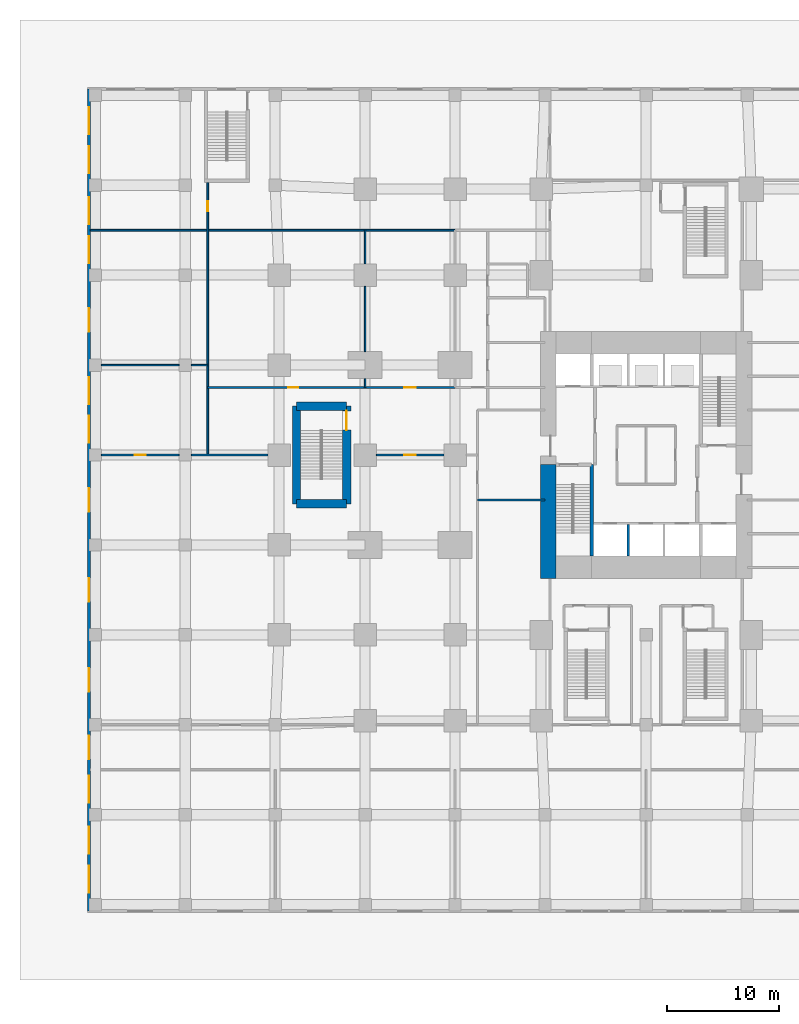
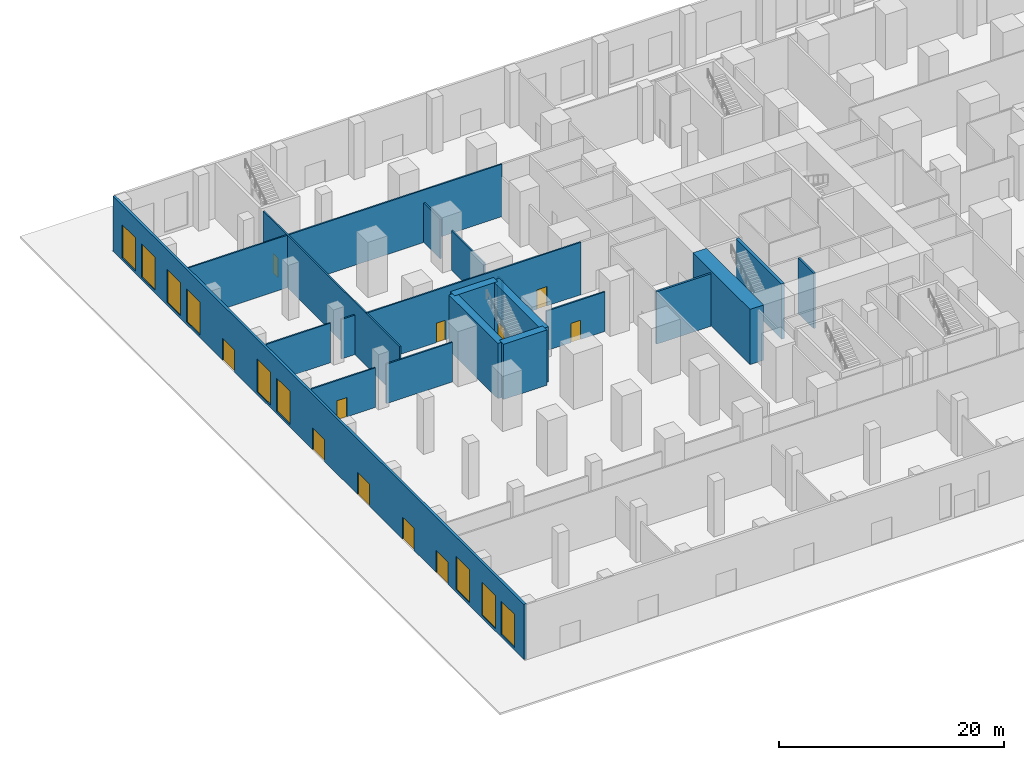
# One storey, part 6 of 16: 20 walls, 11 doors, 9 windows, 20 openings.
"""IFC4 building model written with IfcOpenShell, lengths in metres."""

from ifc_helpers import new_model, si_unit, direction, frame, frame_2d, origin, place, context, subcontext, project, spatial, rectangle, extrude, material, layer, layer_set, type_object, element, fill, save


model = new_model("IFC4")

# Units and contexts
model_context = context("Model", 3, precision=1e-05, world=origin(), true_north=direction((0.0, 1.0)))
body_context = subcontext(model_context, "Body", "Model", "MODEL_VIEW")
ifc_project = project(units=[si_unit("LENGTHUNIT", "METRE"), si_unit("AREAUNIT", "SQUARE_METRE"), si_unit("VOLUMEUNIT", "CUBIC_METRE"), si_unit("PLANEANGLEUNIT", "RADIAN"), si_unit("MASSUNIT", "GRAM", prefix="KILO")], contexts=[model_context])

# Site, building, storey
site_placement = place(None, origin())
site = spatial("IfcSite", under=ifc_project, at=site_placement, CompositionType="ELEMENT")
building_placement = place(site_placement, origin())
building = spatial("IfcBuilding", under=site, at=building_placement, Name="Cleftline Residences", CompositionType="ELEMENT")
storey_placement = place(building_placement, origin())
storey = spatial("IfcBuildingStorey", under=building, at=storey_placement, Name="L00", CompositionType="ELEMENT", Elevation=0.0)

# Walls
ifc_material_1 = material(Name="Concrete B70", Category="concrete")
ifc_layer_1 = layer(ifc_material_1, 1.39990234375)
ifc_layer_set_1 = layer_set([ifc_layer_1], Name="CORE WALL 1400")
wall_type_1 = type_object("IfcWallType", Name="CORE WALL 1400", PredefinedType="SHEAR", material=ifc_layer_set_1)
wall_1_placement = place(storey_placement, frame((24.300048828125, 13.0, 0.0), z_axis=(0.0, 0.0, 1.0), x_axis=(0.0, 1.0, 0.0)))
element("IfcWall", 1, at=wall_1_placement, inside=storey, type_object=wall_type_1, Name="Core wall W0", PredefinedType="SHEAR", context=body_context, shape_type="SweptSolid", body=[
    extrude(rectangle(XDim=10.14990234375, YDim=1.39990234375, at=frame_2d((5.074951171875, 0.0))), origin(), (0.0, 0.0, 1.0), 6.0),
])
ifc_material_2 = material(Name="Concrete B70", Category="concrete")
ifc_layer_2 = layer(ifc_material_2, 0.300048828125)
ifc_layer_set_2 = layer_set([ifc_layer_2], Name="CORE WALL 300")
wall_type_2 = type_object("IfcWallType", Name="CORE WALL 300", PredefinedType="SHEAR", material=ifc_layer_set_2)
wall_2_placement = place(storey_placement, frame((28.14990234375, 15.0, 0.0), z_axis=(0.0, 0.0, 1.0), x_axis=(0.0, 1.0, 0.0)))
element("IfcWall", 2, at=wall_2_placement, inside=storey, type_object=wall_type_2, Name="Core wall SA-E", PredefinedType="SHEAR", context=body_context, shape_type="SweptSolid", body=[
    extrude(rectangle(XDim=8.14990234375, YDim=0.300048828125, at=frame_2d((4.074951171875, 0.0))), origin(), (0.0, 0.0, 1.0), 6.0),
])

# Wall, openings, doors, windows
ifc_material_3 = material(Name="Rendered reinforced concrete blockwork", Category="masonry")
ifc_layer_3 = layer(ifc_material_3, 0.25)
ifc_layer_set_3 = layer_set([ifc_layer_3], Name="EXTERNAL WALL 250")
wall_type_3 = type_object("IfcWallType", Name="EXTERNAL WALL 250", PredefinedType="SOLIDWALL", material=ifc_layer_set_3)
wall_3_placement = place(storey_placement, frame((-16.574951171875, 56.574951171875, 0.0), z_axis=(0.0, 0.0, 1.0), x_axis=(0.0, -1.0, 0.0)))
wall_3 = element("IfcWall", 3, at=wall_3_placement, inside=storey, type_object=wall_type_3, Name="External wall", PredefinedType="SOLIDWALL", context=body_context, shape_type="SweptSolid", body=[
    extrude(rectangle(XDim=73.14990234375, YDim=0.25, at=frame_2d((36.574951171875, 0.0))), origin(), (0.0, 0.0, 1.0), 6.0),
])
opening_1_placement = place(wall_3_placement, frame((1.64990234375, 0.0, 0.300048828125)))
opening_1 = element("IfcOpeningElement", 4, at=opening_1_placement, cuts=wall_3, Name="Opening W1", PredefinedType="OPENING", context=body_context, shape_type="SweptSolid", body=[
    extrude(rectangle(XDim=2.39990234375, YDim=3.60009765625, at=frame_2d((1.199951171875, 1.800048828125))), frame((0.0, 0.135009765625, 0.0), z_axis=(0.0, -1.0, 0.0), x_axis=(1.0, 0.0, 0.0)), (0.0, 0.0, 1.0), 0.27001953125),
])
opening_2_placement = place(wall_3_placement, frame((5.10009765625, 0.0, 0.300048828125)))
opening_2 = element("IfcOpeningElement", 5, at=opening_2_placement, cuts=wall_3, Name="Opening W1", PredefinedType="OPENING", context=body_context, shape_type="SweptSolid", body=[
    extrude(rectangle(XDim=2.39990234375, YDim=3.60009765625, at=frame_2d((1.199951171875, 1.800048828125))), frame((0.0, 0.135009765625, 0.0), z_axis=(0.0, -1.0, 0.0), x_axis=(1.0, 0.0, 0.0)), (0.0, 0.0, 1.0), 0.27001953125),
])
opening_3_placement = place(wall_3_placement, frame((9.64990234375, 0.0, 0.300048828125)))
opening_3 = element("IfcOpeningElement", 6, at=opening_3_placement, cuts=wall_3, Name="Opening W1", PredefinedType="OPENING", context=body_context, shape_type="SweptSolid", body=[
    extrude(rectangle(XDim=2.39990234375, YDim=3.60009765625, at=frame_2d((1.199951171875, 1.800048828125))), frame((0.0, 0.135009765625, 0.0), z_axis=(0.0, -1.0, 0.0), x_axis=(1.0, 0.0, 0.0)), (0.0, 0.0, 1.0), 0.27001953125),
])
opening_4_placement = place(wall_3_placement, frame((19.52490234375, 0.0, 0.0)))
opening_4 = element("IfcOpeningElement", 7, at=opening_4_placement, cuts=wall_3, Name="Opening DE1", PredefinedType="OPENING", context=body_context, shape_type="SweptSolid", body=[
    extrude(rectangle(XDim=2.10009765625, YDim=2.39990234375, at=frame_2d((1.050048828125, 1.199951171875))), frame((0.0, 0.135009765625, 0.0), z_axis=(0.0, -1.0, 0.0), x_axis=(1.0, 0.0, 0.0)), (0.0, 0.0, 1.0), 0.27001953125),
])
opening_5_placement = place(wall_3_placement, frame((13.10009765625, 0.0, 0.300048828125)))
opening_5 = element("IfcOpeningElement", 8, at=opening_5_placement, cuts=wall_3, Name="Opening W1", PredefinedType="OPENING", context=body_context, shape_type="SweptSolid", body=[
    extrude(rectangle(XDim=2.39990234375, YDim=3.60009765625, at=frame_2d((1.199951171875, 1.800048828125))), frame((0.0, 0.135009765625, 0.0), z_axis=(0.0, -1.0, 0.0), x_axis=(1.0, 0.0, 0.0)), (0.0, 0.0, 1.0), 0.27001953125),
])
opening_6_placement = place(wall_3_placement, frame((25.64990234375, 0.0, 0.300048828125)))
opening_6 = element("IfcOpeningElement", 9, at=opening_6_placement, cuts=wall_3, Name="Opening W1", PredefinedType="OPENING", context=body_context, shape_type="SweptSolid", body=[
    extrude(rectangle(XDim=2.39990234375, YDim=3.60009765625, at=frame_2d((1.199951171875, 1.800048828125))), frame((0.0, 0.135009765625, 0.0), z_axis=(0.0, -1.0, 0.0), x_axis=(1.0, 0.0, 0.0)), (0.0, 0.0, 1.0), 0.27001953125),
])
opening_7_placement = place(wall_3_placement, frame((29.10009765625, 0.0, 0.300048828125)))
opening_7 = element("IfcOpeningElement", 10, at=opening_7_placement, cuts=wall_3, Name="Opening W1", PredefinedType="OPENING", context=body_context, shape_type="SweptSolid", body=[
    extrude(rectangle(XDim=2.39990234375, YDim=3.60009765625, at=frame_2d((1.199951171875, 1.800048828125))), frame((0.0, 0.135009765625, 0.0), z_axis=(0.0, -1.0, 0.0), x_axis=(1.0, 0.0, 0.0)), (0.0, 0.0, 1.0), 0.27001953125),
])
opening_8_placement = place(wall_3_placement, frame((35.52490234375, 0.0, 0.0)))
opening_8 = element("IfcOpeningElement", 11, at=opening_8_placement, cuts=wall_3, Name="Opening DE1", PredefinedType="OPENING", context=body_context, shape_type="SweptSolid", body=[
    extrude(rectangle(XDim=2.10009765625, YDim=2.39990234375, at=frame_2d((1.050048828125, 1.199951171875))), frame((0.0, 0.135009765625, 0.0), z_axis=(0.0, -1.0, 0.0), x_axis=(1.0, 0.0, 0.0)), (0.0, 0.0, 1.0), 0.27001953125),
])
opening_9_placement = place(wall_3_placement, frame((43.52490234375, 0.0, 0.0)))
opening_9 = element("IfcOpeningElement", 12, at=opening_9_placement, cuts=wall_3, Name="Opening DE1", PredefinedType="OPENING", context=body_context, shape_type="SweptSolid", body=[
    extrude(rectangle(XDim=2.10009765625, YDim=2.39990234375, at=frame_2d((1.050048828125, 1.199951171875))), frame((0.0, 0.135009765625, 0.0), z_axis=(0.0, -1.0, 0.0), x_axis=(1.0, 0.0, 0.0)), (0.0, 0.0, 1.0), 0.27001953125),
])
opening_10_placement = place(wall_3_placement, frame((51.52490234375, 0.0, 0.0)))
opening_10 = element("IfcOpeningElement", 13, at=opening_10_placement, cuts=wall_3, Name="Opening DE1", PredefinedType="OPENING", context=body_context, shape_type="SweptSolid", body=[
    extrude(rectangle(XDim=2.10009765625, YDim=2.39990234375, at=frame_2d((1.050048828125, 1.199951171875))), frame((0.0, 0.135009765625, 0.0), z_axis=(0.0, -1.0, 0.0), x_axis=(1.0, 0.0, 0.0)), (0.0, 0.0, 1.0), 0.27001953125),
])
opening_11_placement = place(wall_3_placement, frame((57.52490234375, 0.0, 0.0)))
opening_11 = element("IfcOpeningElement", 14, at=opening_11_placement, cuts=wall_3, Name="Opening DE1", PredefinedType="OPENING", context=body_context, shape_type="SweptSolid", body=[
    extrude(rectangle(XDim=2.10009765625, YDim=2.39990234375, at=frame_2d((1.050048828125, 1.199951171875))), frame((0.0, 0.135009765625, 0.0), z_axis=(0.0, -1.0, 0.0), x_axis=(1.0, 0.0, 0.0)), (0.0, 0.0, 1.0), 0.27001953125),
])
opening_12_placement = place(wall_3_placement, frame((61.10009765625, 0.0, 0.300048828125)))
opening_12 = element("IfcOpeningElement", 15, at=opening_12_placement, cuts=wall_3, Name="Opening W1", PredefinedType="OPENING", context=body_context, shape_type="SweptSolid", body=[
    extrude(rectangle(XDim=2.39990234375, YDim=3.60009765625, at=frame_2d((1.199951171875, 1.800048828125))), frame((0.0, 0.135009765625, 0.0), z_axis=(0.0, -1.0, 0.0), x_axis=(1.0, 0.0, 0.0)), (0.0, 0.0, 1.0), 0.27001953125),
])
opening_13_placement = place(wall_3_placement, frame((65.64990234375, 0.0, 0.300048828125)))
opening_13 = element("IfcOpeningElement", 16, at=opening_13_placement, cuts=wall_3, Name="Opening W1", PredefinedType="OPENING", context=body_context, shape_type="SweptSolid", body=[
    extrude(rectangle(XDim=2.39990234375, YDim=3.60009765625, at=frame_2d((1.199951171875, 1.800048828125))), frame((0.0, 0.135009765625, 0.0), z_axis=(0.0, -1.0, 0.0), x_axis=(1.0, 0.0, 0.0)), (0.0, 0.0, 1.0), 0.27001953125),
])
opening_14_placement = place(wall_3_placement, frame((69.10009765625, 0.0, 0.300048828125)))
opening_14 = element("IfcOpeningElement", 17, at=opening_14_placement, cuts=wall_3, Name="Opening W1", PredefinedType="OPENING", context=body_context, shape_type="SweptSolid", body=[
    extrude(rectangle(XDim=2.39990234375, YDim=3.60009765625, at=frame_2d((1.199951171875, 1.800048828125))), frame((0.0, 0.135009765625, 0.0), z_axis=(0.0, -1.0, 0.0), x_axis=(1.0, 0.0, 0.0)), (0.0, 0.0, 1.0), 0.27001953125),
])
ifc_material_4 = material(Name="Aluminium and laminated glass", Category="aluminium")
door_type_1 = type_object("IfcDoorType", Name="ENTRANCE DOOR 2100X2400", OperationType="DOUBLE_DOOR_DOUBLE_SWING", PredefinedType="DOOR", material=ifc_material_4)
door_1_placement = place(opening_4_placement, origin())
door_1 = element("IfcDoor", 18, at=door_1_placement, inside=storey, type_object=door_type_1, Name="Entrance door", OperationType="DOUBLE_DOOR_DOUBLE_SWING", OverallHeight=2.39990234375, OverallWidth=2.10009765625, PredefinedType="DOOR", context=body_context, shape_type="SweptSolid", body=[
    extrude(rectangle(XDim=2.10009765625, YDim=2.39990234375, at=frame_2d((1.050048828125, 1.199951171875))), frame((0.0, 0.02490234375, 0.0), z_axis=(0.0, -1.0, 0.0), x_axis=(1.0, 0.0, 0.0)), (0.0, 0.0, 1.0), 0.050048828125),
])
fill(opening_4, door_1)
door_2_placement = place(opening_8_placement, origin())
door_2 = element("IfcDoor", 19, at=door_2_placement, inside=storey, type_object=door_type_1, Name="Entrance door", OperationType="DOUBLE_DOOR_DOUBLE_SWING", OverallHeight=2.39990234375, OverallWidth=2.10009765625, PredefinedType="DOOR", context=body_context, shape_type="SweptSolid", body=[
    extrude(rectangle(XDim=2.10009765625, YDim=2.39990234375, at=frame_2d((1.050048828125, 1.199951171875))), frame((0.0, 0.02490234375, 0.0), z_axis=(0.0, -1.0, 0.0), x_axis=(1.0, 0.0, 0.0)), (0.0, 0.0, 1.0), 0.050048828125),
])
fill(opening_8, door_2)
door_3_placement = place(opening_9_placement, origin())
door_3 = element("IfcDoor", 20, at=door_3_placement, inside=storey, type_object=door_type_1, Name="Entrance door", OperationType="DOUBLE_DOOR_DOUBLE_SWING", OverallHeight=2.39990234375, OverallWidth=2.10009765625, PredefinedType="DOOR", context=body_context, shape_type="SweptSolid", body=[
    extrude(rectangle(XDim=2.10009765625, YDim=2.39990234375, at=frame_2d((1.050048828125, 1.199951171875))), frame((0.0, 0.02490234375, 0.0), z_axis=(0.0, -1.0, 0.0), x_axis=(1.0, 0.0, 0.0)), (0.0, 0.0, 1.0), 0.050048828125),
])
fill(opening_9, door_3)
door_4_placement = place(opening_10_placement, origin())
door_4 = element("IfcDoor", 21, at=door_4_placement, inside=storey, type_object=door_type_1, Name="Entrance door", OperationType="DOUBLE_DOOR_DOUBLE_SWING", OverallHeight=2.39990234375, OverallWidth=2.10009765625, PredefinedType="DOOR", context=body_context, shape_type="SweptSolid", body=[
    extrude(rectangle(XDim=2.10009765625, YDim=2.39990234375, at=frame_2d((1.050048828125, 1.199951171875))), frame((0.0, 0.02490234375, 0.0), z_axis=(0.0, -1.0, 0.0), x_axis=(1.0, 0.0, 0.0)), (0.0, 0.0, 1.0), 0.050048828125),
])
fill(opening_10, door_4)
door_5_placement = place(opening_11_placement, origin())
door_5 = element("IfcDoor", 22, at=door_5_placement, inside=storey, type_object=door_type_1, Name="Entrance door", OperationType="DOUBLE_DOOR_DOUBLE_SWING", OverallHeight=2.39990234375, OverallWidth=2.10009765625, PredefinedType="DOOR", context=body_context, shape_type="SweptSolid", body=[
    extrude(rectangle(XDim=2.10009765625, YDim=2.39990234375, at=frame_2d((1.050048828125, 1.199951171875))), frame((0.0, 0.02490234375, 0.0), z_axis=(0.0, -1.0, 0.0), x_axis=(1.0, 0.0, 0.0)), (0.0, 0.0, 1.0), 0.050048828125),
])
fill(opening_11, door_5)
ifc_material_5 = material(Name="Aluminium frame, clear double glazing", Category="aluminium")
window_type = type_object("IfcWindowType", Name="WINDOW 2400X3600", PartitioningType="DOUBLE_PANEL_VERTICAL", PredefinedType="WINDOW", material=ifc_material_5)
window_1_placement = place(opening_1_placement, origin())
window_1 = element("IfcWindow", 23, at=window_1_placement, inside=storey, type_object=window_type, Name="Window", OverallHeight=3.60009765625, OverallWidth=2.39990234375, PartitioningType="SINGLE_PANEL", PredefinedType="WINDOW", context=body_context, shape_type="SweptSolid", body=[
    extrude(rectangle(XDim=2.39990234375, YDim=3.60009765625, at=frame_2d((1.199951171875, 1.800048828125))), frame((0.0, 0.030029296875, 0.0), z_axis=(0.0, -1.0, 0.0), x_axis=(1.0, 0.0, 0.0)), (0.0, 0.0, 1.0), 0.06005859375),
])
fill(opening_1, window_1)
window_2_placement = place(opening_2_placement, origin())
window_2 = element("IfcWindow", 24, at=window_2_placement, inside=storey, type_object=window_type, Name="Window", OverallHeight=3.60009765625, OverallWidth=2.39990234375, PartitioningType="SINGLE_PANEL", PredefinedType="WINDOW", context=body_context, shape_type="SweptSolid", body=[
    extrude(rectangle(XDim=2.39990234375, YDim=3.60009765625, at=frame_2d((1.199951171875, 1.800048828125))), frame((0.0, 0.030029296875, 0.0), z_axis=(0.0, -1.0, 0.0), x_axis=(1.0, 0.0, 0.0)), (0.0, 0.0, 1.0), 0.06005859375),
])
fill(opening_2, window_2)
window_3_placement = place(opening_3_placement, origin())
window_3 = element("IfcWindow", 25, at=window_3_placement, inside=storey, type_object=window_type, Name="Window", OverallHeight=3.60009765625, OverallWidth=2.39990234375, PartitioningType="SINGLE_PANEL", PredefinedType="WINDOW", context=body_context, shape_type="SweptSolid", body=[
    extrude(rectangle(XDim=2.39990234375, YDim=3.60009765625, at=frame_2d((1.199951171875, 1.800048828125))), frame((0.0, 0.030029296875, 0.0), z_axis=(0.0, -1.0, 0.0), x_axis=(1.0, 0.0, 0.0)), (0.0, 0.0, 1.0), 0.06005859375),
])
fill(opening_3, window_3)
window_4_placement = place(opening_5_placement, origin())
window_4 = element("IfcWindow", 26, at=window_4_placement, inside=storey, type_object=window_type, Name="Window", OverallHeight=3.60009765625, OverallWidth=2.39990234375, PartitioningType="SINGLE_PANEL", PredefinedType="WINDOW", context=body_context, shape_type="SweptSolid", body=[
    extrude(rectangle(XDim=2.39990234375, YDim=3.60009765625, at=frame_2d((1.199951171875, 1.800048828125))), frame((0.0, 0.030029296875, 0.0), z_axis=(0.0, -1.0, 0.0), x_axis=(1.0, 0.0, 0.0)), (0.0, 0.0, 1.0), 0.06005859375),
])
fill(opening_5, window_4)
window_5_placement = place(opening_6_placement, origin())
window_5 = element("IfcWindow", 27, at=window_5_placement, inside=storey, type_object=window_type, Name="Window", OverallHeight=3.60009765625, OverallWidth=2.39990234375, PartitioningType="SINGLE_PANEL", PredefinedType="WINDOW", context=body_context, shape_type="SweptSolid", body=[
    extrude(rectangle(XDim=2.39990234375, YDim=3.60009765625, at=frame_2d((1.199951171875, 1.800048828125))), frame((0.0, 0.030029296875, 0.0), z_axis=(0.0, -1.0, 0.0), x_axis=(1.0, 0.0, 0.0)), (0.0, 0.0, 1.0), 0.06005859375),
])
fill(opening_6, window_5)
window_6_placement = place(opening_7_placement, origin())
window_6 = element("IfcWindow", 28, at=window_6_placement, inside=storey, type_object=window_type, Name="Window", OverallHeight=3.60009765625, OverallWidth=2.39990234375, PartitioningType="SINGLE_PANEL", PredefinedType="WINDOW", context=body_context, shape_type="SweptSolid", body=[
    extrude(rectangle(XDim=2.39990234375, YDim=3.60009765625, at=frame_2d((1.199951171875, 1.800048828125))), frame((0.0, 0.030029296875, 0.0), z_axis=(0.0, -1.0, 0.0), x_axis=(1.0, 0.0, 0.0)), (0.0, 0.0, 1.0), 0.06005859375),
])
fill(opening_7, window_6)
window_7_placement = place(opening_12_placement, origin())
window_7 = element("IfcWindow", 29, at=window_7_placement, inside=storey, type_object=window_type, Name="Window", OverallHeight=3.60009765625, OverallWidth=2.39990234375, PartitioningType="SINGLE_PANEL", PredefinedType="WINDOW", context=body_context, shape_type="SweptSolid", body=[
    extrude(rectangle(XDim=2.39990234375, YDim=3.60009765625, at=frame_2d((1.199951171875, 1.800048828125))), frame((0.0, 0.030029296875, 0.0), z_axis=(0.0, -1.0, 0.0), x_axis=(1.0, 0.0, 0.0)), (0.0, 0.0, 1.0), 0.06005859375),
])
fill(opening_12, window_7)
window_8_placement = place(opening_13_placement, origin())
window_8 = element("IfcWindow", 30, at=window_8_placement, inside=storey, type_object=window_type, Name="Window", OverallHeight=3.60009765625, OverallWidth=2.39990234375, PartitioningType="SINGLE_PANEL", PredefinedType="WINDOW", context=body_context, shape_type="SweptSolid", body=[
    extrude(rectangle(XDim=2.39990234375, YDim=3.60009765625, at=frame_2d((1.199951171875, 1.800048828125))), frame((0.0, 0.030029296875, 0.0), z_axis=(0.0, -1.0, 0.0), x_axis=(1.0, 0.0, 0.0)), (0.0, 0.0, 1.0), 0.06005859375),
])
fill(opening_13, window_8)
window_9_placement = place(opening_14_placement, origin())
window_9 = element("IfcWindow", 31, at=window_9_placement, inside=storey, type_object=window_type, Name="Window", OverallHeight=3.60009765625, OverallWidth=2.39990234375, PartitioningType="SINGLE_PANEL", PredefinedType="WINDOW", context=body_context, shape_type="SweptSolid", body=[
    extrude(rectangle(XDim=2.39990234375, YDim=3.60009765625, at=frame_2d((1.199951171875, 1.800048828125))), frame((0.0, 0.030029296875, 0.0), z_axis=(0.0, -1.0, 0.0), x_axis=(1.0, 0.0, 0.0)), (0.0, 0.0, 1.0), 0.06005859375),
])
fill(opening_14, window_9)

# Wall
ifc_material_6 = material(Name="Concrete blockwork, fire rated", Category="masonry")
ifc_layer_4 = layer(ifc_material_6, 0.199951171875)
ifc_layer_set_4 = layer_set([ifc_layer_4], Name="FIRE WALL 200")
wall_type_4 = type_object("IfcWallType", Name="FIRE WALL 200", PredefinedType="PARTITIONING", material=ifc_layer_set_4)
wall_4_placement = place(storey_placement, frame((18.0, 20.0, 0.0), z_axis=(0.0, 0.0, 1.0), x_axis=(1.0, 0.0, 0.0)))
element("IfcWall", 32, at=wall_4_placement, inside=storey, type_object=wall_type_4, Name="Fire separating wall", PredefinedType="PARTITIONING", context=body_context, shape_type="SweptSolid", body=[
    extrude(rectangle(XDim=6.0, YDim=0.199951171875, at=frame_2d((3.0, 0.0))), origin(), (0.0, 0.0, 1.0), 5.699951171875),
])

# Wall, opening, door
ifc_material_7 = material(Name="Gypsum board on steel studs", Category="steel")
ifc_layer_5 = layer(ifc_material_7, 0.14990234375)
ifc_layer_set_5 = layer_set([ifc_layer_5], Name="PARTITION 150")
wall_type_5 = type_object("IfcWallType", Name="PARTITION 150", PredefinedType="PARTITIONING", material=ifc_layer_set_5)
wall_5_placement = place(storey_placement, frame((-15.449951171875, 24.0, 0.0), z_axis=(0.0, 0.0, 1.0), x_axis=(1.0, 0.0, 0.0)))
wall_5 = element("IfcWall", 33, at=wall_5_placement, inside=storey, type_object=wall_type_5, Name="Partition", PredefinedType="PARTITIONING", context=body_context, shape_type="SweptSolid", body=[
    extrude(rectangle(XDim=6.89990234375, YDim=0.14990234375, at=frame_2d((3.449951171875, 0.0))), origin(), (0.0, 0.0, 1.0), 4.300048828125),
])
opening_15_placement = place(wall_5_placement, frame((2.949951171875, 0.0, 0.0)))
opening_15 = element("IfcOpeningElement", 34, at=opening_15_placement, cuts=wall_5, Name="Opening D2", PredefinedType="OPENING", context=body_context, shape_type="SweptSolid", body=[
    extrude(rectangle(XDim=1.0, YDim=2.10009765625, at=frame_2d((0.5, 1.050048828125))), frame((0.0, 0.0849609375, 0.0), z_axis=(0.0, -1.0, 0.0), x_axis=(1.0, 0.0, 0.0)), (0.0, 0.0, 1.0), 0.169921875),
])
ifc_material_8 = material(Name="Timber veneer on solid core", Category="wood")
door_type_2 = type_object("IfcDoorType", Name="DOOR 1000X2100", OperationType="SINGLE_SWING_LEFT", PredefinedType="DOOR", material=ifc_material_8)
door_6_placement = place(opening_15_placement, origin())
door_6 = element("IfcDoor", 35, at=door_6_placement, inside=storey, type_object=door_type_2, Name="Door to concierge office", OperationType="SINGLE_SWING_LEFT", OverallHeight=2.10009765625, OverallWidth=1.0, PredefinedType="DOOR", context=body_context, shape_type="SweptSolid", body=[
    extrude(rectangle(XDim=1.0, YDim=2.10009765625, at=frame_2d((0.5, 1.050048828125))), frame((0.0, 0.02490234375, 0.0), z_axis=(0.0, -1.0, 0.0), x_axis=(1.0, 0.0, 0.0)), (0.0, 0.0, 1.0), 0.050048828125),
])
fill(opening_15, door_6)

# Wall
wall_6_placement = place(storey_placement, frame((-7.449951171875, 24.0, 0.0), z_axis=(0.0, 0.0, 1.0), x_axis=(1.0, 0.0, 0.0)))
element("IfcWall", 36, at=wall_6_placement, inside=storey, type_object=wall_type_5, Name="Partition", PredefinedType="PARTITIONING", context=body_context, shape_type="SweptSolid", body=[
    extrude(rectangle(XDim=6.800048828125, YDim=0.14990234375, at=frame_2d((3.39990234375, 0.0))), origin(), (0.0, 0.0, 1.0), 4.300048828125),
])

# Wall, opening, door
wall_7_placement = place(storey_placement, frame((9.0, 24.0, 0.0), z_axis=(0.0, 0.0, 1.0), x_axis=(1.0, 0.0, 0.0)))
wall_7 = element("IfcWall", 37, at=wall_7_placement, inside=storey, type_object=wall_type_5, Name="Partition", PredefinedType="PARTITIONING", context=body_context, shape_type="SweptSolid", body=[
    extrude(rectangle(XDim=6.0, YDim=0.14990234375, at=frame_2d((3.0, 0.0))), origin(), (0.0, 0.0, 1.0), 4.300048828125),
])
opening_16_placement = place(wall_7_placement, frame((2.5, 0.0, 0.0)))
opening_16 = element("IfcOpeningElement", 38, at=opening_16_placement, cuts=wall_7, Name="Opening D2F30", PredefinedType="OPENING", context=body_context, shape_type="SweptSolid", body=[
    extrude(rectangle(XDim=1.0, YDim=2.10009765625, at=frame_2d((0.5, 1.050048828125))), frame((0.0, 0.0849609375, 0.0), z_axis=(0.0, -1.0, 0.0), x_axis=(1.0, 0.0, 0.0)), (0.0, 0.0, 1.0), 0.169921875),
])
ifc_material_9 = material(Name="Timber veneer on solid core", Category="wood")
door_type_3 = type_object("IfcDoorType", Name="DOOR 1000X2100 EI 30", OperationType="SINGLE_SWING_LEFT", PredefinedType="DOOR", material=ifc_material_9)
door_7_placement = place(opening_16_placement, origin())
door_7 = element("IfcDoor", 39, at=door_7_placement, inside=storey, type_object=door_type_3, Name="Door to service corridor", OperationType="SINGLE_SWING_LEFT", OverallHeight=2.10009765625, OverallWidth=1.0, PredefinedType="DOOR", context=body_context, shape_type="SweptSolid", body=[
    extrude(rectangle(XDim=1.0, YDim=2.10009765625, at=frame_2d((0.5, 1.050048828125))), frame((0.0, 0.02490234375, 0.0), z_axis=(0.0, -1.0, 0.0), x_axis=(1.0, 0.0, 0.0)), (0.0, 0.0, 1.0), 0.050048828125),
])
fill(opening_16, door_7)

# Wall, openings, doors
wall_8_placement = place(storey_placement, frame((-6.0, 30.0, 0.0), z_axis=(0.0, 0.0, 1.0), x_axis=(1.0, 0.0, 0.0)))
wall_8 = element("IfcWall", 40, at=wall_8_placement, inside=storey, type_object=wall_type_5, Name="Partition", PredefinedType="PARTITIONING", context=body_context, shape_type="SweptSolid", body=[
    extrude(rectangle(XDim=22.0, YDim=0.14990234375, at=frame_2d((11.0, 0.0))), origin(), (0.0, 0.0, 1.0), 5.699951171875),
])
opening_17_placement = place(wall_8_placement, frame((7.14990234375, 0.0, 0.0)))
opening_17 = element("IfcOpeningElement", 41, at=opening_17_placement, cuts=wall_8, Name="Opening D1", PredefinedType="OPENING", context=body_context, shape_type="SweptSolid", body=[
    extrude(rectangle(XDim=0.89990234375, YDim=2.10009765625, at=frame_2d((0.449951171875, 1.050048828125))), frame((0.0, 0.0849609375, 0.0), z_axis=(0.0, -1.0, 0.0), x_axis=(1.0, 0.0, 0.0)), (0.0, 0.0, 1.0), 0.169921875),
])
opening_18_placement = place(wall_8_placement, frame((17.5, 0.0, 0.0)))
opening_18 = element("IfcOpeningElement", 42, at=opening_18_placement, cuts=wall_8, Name="Opening D2", PredefinedType="OPENING", context=body_context, shape_type="SweptSolid", body=[
    extrude(rectangle(XDim=1.0, YDim=2.10009765625, at=frame_2d((0.5, 1.050048828125))), frame((0.0, 0.0849609375, 0.0), z_axis=(0.0, -1.0, 0.0), x_axis=(1.0, 0.0, 0.0)), (0.0, 0.0, 1.0), 0.169921875),
])
door_8_placement = place(opening_18_placement, origin())
door_8 = element("IfcDoor", 43, at=door_8_placement, inside=storey, type_object=door_type_2, Name="Door to management office", OperationType="SINGLE_SWING_LEFT", OverallHeight=2.10009765625, OverallWidth=1.0, PredefinedType="DOOR", context=body_context, shape_type="SweptSolid", body=[
    extrude(rectangle(XDim=1.0, YDim=2.10009765625, at=frame_2d((0.5, 1.050048828125))), frame((0.0, 0.02490234375, 0.0), z_axis=(0.0, -1.0, 0.0), x_axis=(1.0, 0.0, 0.0)), (0.0, 0.0, 1.0), 0.050048828125),
])
fill(opening_18, door_8)
ifc_material_10 = material(Name="Timber veneer on solid core", Category="wood")
door_type_4 = type_object("IfcDoorType", Name="DOOR 900X2100", OperationType="SINGLE_SWING_LEFT", PredefinedType="DOOR", material=ifc_material_10)
door_9_placement = place(opening_17_placement, origin())
door_9 = element("IfcDoor", 44, at=door_9_placement, inside=storey, type_object=door_type_4, Name="Door to mail room", OperationType="SINGLE_SWING_RIGHT", OverallHeight=2.10009765625, OverallWidth=0.89990234375, PredefinedType="DOOR", context=body_context, shape_type="SweptSolid", body=[
    extrude(rectangle(XDim=0.89990234375, YDim=2.10009765625, at=frame_2d((0.449951171875, 1.050048828125))), frame((0.0, 0.02490234375, 0.0), z_axis=(0.0, -1.0, 0.0), x_axis=(1.0, 0.0, 0.0)), (0.0, 0.0, 1.0), 0.050048828125),
])
fill(opening_17, door_9)

# Walls
wall_9_placement = place(storey_placement, frame((-15.449951171875, 32.0, 0.0), z_axis=(0.0, 0.0, 1.0), x_axis=(1.0, 0.0, 0.0)))
element("IfcWall", 45, at=wall_9_placement, inside=storey, type_object=wall_type_5, Name="Partition", PredefinedType="PARTITIONING", context=body_context, shape_type="SweptSolid", body=[
    extrude(rectangle(XDim=6.89990234375, YDim=0.14990234375, at=frame_2d((3.449951171875, 0.0))), origin(), (0.0, 0.0, 1.0), 4.300048828125),
])
wall_10_placement = place(storey_placement, frame((-7.449951171875, 32.0, 0.0), z_axis=(0.0, 0.0, 1.0), x_axis=(1.0, 0.0, 0.0)))
element("IfcWall", 46, at=wall_10_placement, inside=storey, type_object=wall_type_5, Name="Partition", PredefinedType="PARTITIONING", context=body_context, shape_type="SweptSolid", body=[
    extrude(rectangle(XDim=1.449951171875, YDim=0.14990234375, at=frame_2d((0.72509765625, 0.0))), origin(), (0.0, 0.0, 1.0), 4.300048828125),
])
wall_11_placement = place(storey_placement, frame((-16.449951171875, 44.0, 0.0), z_axis=(0.0, 0.0, 1.0), x_axis=(1.0, 0.0, 0.0)))
element("IfcWall", 47, at=wall_11_placement, inside=storey, type_object=wall_type_5, Name="Partition", PredefinedType="PARTITIONING", context=body_context, shape_type="SweptSolid", body=[
    extrude(rectangle(XDim=32.449951171875, YDim=0.14990234375, at=frame_2d((16.22509765625, 0.0))), origin(), (0.0, 0.0, 1.0), 5.699951171875),
])

# Wall, opening, door
wall_12_placement = place(storey_placement, frame((-6.0, 24.0, 0.0), z_axis=(0.0, 0.0, 1.0), x_axis=(0.0, 1.0, 0.0)))
wall_12 = element("IfcWall", 48, at=wall_12_placement, inside=storey, type_object=wall_type_5, Name="Partition", PredefinedType="PARTITIONING", context=body_context, shape_type="SweptSolid", body=[
    extrude(rectangle(XDim=24.25, YDim=0.14990234375, at=frame_2d((12.125, 0.0))), origin(), (0.0, 0.0, 1.0), 5.699951171875),
])
opening_19_placement = place(wall_12_placement, frame((21.675048828125, 0.0, 0.0)))
opening_19 = element("IfcOpeningElement", 49, at=opening_19_placement, cuts=wall_12, Name="Opening D1", PredefinedType="OPENING", context=body_context, shape_type="SweptSolid", body=[
    extrude(rectangle(XDim=0.89990234375, YDim=2.10009765625, at=frame_2d((0.449951171875, 1.050048828125))), frame((0.0, 0.0849609375, 0.0), z_axis=(0.0, -1.0, 0.0), x_axis=(1.0, 0.0, 0.0)), (0.0, 0.0, 1.0), 0.169921875),
])
door_10_placement = place(opening_19_placement, origin())
door_10 = element("IfcDoor", 50, at=door_10_placement, inside=storey, type_object=door_type_4, Name="Door to bicycle store", OperationType="SINGLE_SWING_LEFT", OverallHeight=2.10009765625, OverallWidth=0.89990234375, PredefinedType="DOOR", context=body_context, shape_type="SweptSolid", body=[
    extrude(rectangle(XDim=0.89990234375, YDim=2.10009765625, at=frame_2d((0.449951171875, 1.050048828125))), frame((0.0, 0.02490234375, 0.0), z_axis=(0.0, -1.0, 0.0), x_axis=(1.0, 0.0, 0.0)), (0.0, 0.0, 1.0), 0.050048828125),
])
fill(opening_19, door_10)

# Walls
wall_13_placement = place(storey_placement, frame((8.0, 30.0, 0.0), z_axis=(0.0, 0.0, 1.0), x_axis=(0.0, 1.0, 0.0)))
element("IfcWall", 51, at=wall_13_placement, inside=storey, type_object=wall_type_5, Name="Partition", PredefinedType="PARTITIONING", context=body_context, shape_type="SweptSolid", body=[
    extrude(rectangle(XDim=0.800048828125, YDim=0.14990234375, at=frame_2d((0.39990234375, 0.0))), origin(), (0.0, 0.0, 1.0), 4.300048828125),
])
wall_14_placement = place(storey_placement, frame((8.0, 33.199951171875, 0.0), z_axis=(0.0, 0.0, 1.0), x_axis=(0.0, 1.0, 0.0)))
element("IfcWall", 52, at=wall_14_placement, inside=storey, type_object=wall_type_5, Name="Partition", PredefinedType="PARTITIONING", context=body_context, shape_type="SweptSolid", body=[
    extrude(rectangle(XDim=5.800048828125, YDim=0.14990234375, at=frame_2d((2.89990234375, 0.0))), origin(), (0.0, 0.0, 1.0), 4.300048828125),
])
wall_15_placement = place(storey_placement, frame((8.0, 41.0, 0.0), z_axis=(0.0, 0.0, 1.0), x_axis=(0.0, 1.0, 0.0)))
element("IfcWall", 53, at=wall_15_placement, inside=storey, type_object=wall_type_5, Name="Partition", PredefinedType="PARTITIONING", context=body_context, shape_type="SweptSolid", body=[
    extrude(rectangle(XDim=3.0, YDim=0.14990234375, at=frame_2d((1.5, 0.0))), origin(), (0.0, 0.0, 1.0), 4.300048828125),
])
ifc_material_11 = material(Name="Concrete blockwork, fire rated", Category="masonry")
ifc_layer_6 = layer(ifc_material_11, 0.199951171875)
ifc_layer_set_6 = layer_set([ifc_layer_6], Name="SHAFT WALL 200")
wall_type_6 = type_object("IfcWallType", Name="SHAFT WALL 200", PredefinedType="PARTITIONING", material=ifc_layer_set_6)
wall_16_placement = place(storey_placement, frame((31.39990234375, 15.0, 0.0), z_axis=(0.0, 0.0, 1.0), x_axis=(0.0, 1.0, 0.0)))
element("IfcWall", 54, at=wall_16_placement, inside=storey, type_object=wall_type_6, Name="Lift shaft wall", PredefinedType="PARTITIONING", context=body_context, shape_type="SweptSolid", body=[
    extrude(rectangle(XDim=2.800048828125, YDim=0.199951171875, at=frame_2d((1.39990234375, 0.0))), origin(), (0.0, 0.0, 1.0), 6.0),
])
ifc_material_12 = material(Name="Concrete B70", Category="concrete")
ifc_layer_7 = layer(ifc_material_12, 0.75)
ifc_layer_set_7 = layer_set([ifc_layer_7], Name="SHEAR WALL 750")
wall_type_7 = type_object("IfcWallType", Name="SHEAR WALL 750", PredefinedType="SHEAR", material=ifc_layer_set_7)
wall_17_placement = place(storey_placement, frame((1.89990234375, 19.64990234375, 0.0), z_axis=(0.0, 0.0, 1.0), x_axis=(1.0, 0.0, 0.0)))
element("IfcWall", 55, at=wall_17_placement, inside=storey, type_object=wall_type_7, Name="Wing shear wall", PredefinedType="SHEAR", context=body_context, shape_type="SweptSolid", body=[
    extrude(rectangle(XDim=4.4501953125, YDim=0.75, at=frame_2d((2.22509765625, 0.0))), origin(), (0.0, 0.0, 1.0), 6.0),
])

# Wall, opening, door
wall_18_placement = place(storey_placement, frame((6.35009765625, 19.64990234375, 0.0), z_axis=(0.0, 0.0, 1.0), x_axis=(0.0, 1.0, 0.0)))
wall_18 = element("IfcWall", 56, at=wall_18_placement, inside=storey, type_object=wall_type_7, Name="Wing shear wall", PredefinedType="SHEAR", context=body_context, shape_type="SweptSolid", body=[
    extrude(rectangle(XDim=8.7001953125, YDim=0.75, at=frame_2d((4.35009765625, 0.0))), origin(), (0.0, 0.0, 1.0), 6.0),
])
opening_20_placement = place(wall_18_placement, frame((6.574951171875, 0.0, 0.0)))
opening_20 = element("IfcOpeningElement", 57, at=opening_20_placement, cuts=wall_18, Name="Opening D10", PredefinedType="OPENING", context=body_context, shape_type="SweptSolid", body=[
    extrude(rectangle(XDim=1.699951171875, YDim=2.10009765625, at=frame_2d((0.85009765625, 1.050048828125))), frame((0.0, 0.385009765625, 0.0), z_axis=(0.0, -1.0, 0.0), x_axis=(1.0, 0.0, 0.0)), (0.0, 0.0, 1.0), 0.77001953125),
])
ifc_material_13 = material(Name="Steel", Category="steel")
door_type_5 = type_object("IfcDoorType", Name="STAIR DOOR 1700X2100", OperationType="DOUBLE_DOOR_SINGLE_SWING", PredefinedType="DOOR", material=ifc_material_13)
door_11_placement = place(opening_20_placement, origin())
door_11 = element("IfcDoor", 58, at=door_11_placement, inside=storey, type_object=door_type_5, Name="Stair W door", OperationType="DOUBLE_DOOR_SINGLE_SWING", OverallHeight=2.10009765625, OverallWidth=1.699951171875, PredefinedType="DOOR", context=body_context, shape_type="SweptSolid", body=[
    extrude(rectangle(XDim=1.699951171875, YDim=2.10009765625, at=frame_2d((0.85009765625, 1.050048828125))), frame((0.0, 0.02490234375, 0.0), z_axis=(0.0, -1.0, 0.0), x_axis=(1.0, 0.0, 0.0)), (0.0, 0.0, 1.0), 0.050048828125),
])
fill(opening_20, door_11)

# Walls
wall_19_placement = place(storey_placement, frame((6.35009765625, 28.35009765625, 0.0), z_axis=(0.0, 0.0, 1.0), x_axis=(-1.0, 0.0, 0.0)))
element("IfcWall", 59, at=wall_19_placement, inside=storey, type_object=wall_type_7, Name="Wing shear wall", PredefinedType="SHEAR", context=body_context, shape_type="SweptSolid", body=[
    extrude(rectangle(XDim=4.4501953125, YDim=0.75, at=frame_2d((2.22509765625, 0.0))), origin(), (0.0, 0.0, 1.0), 6.0),
])
wall_20_placement = place(storey_placement, frame((1.89990234375, 28.35009765625, 0.0), z_axis=(0.0, 0.0, 1.0), x_axis=(0.0, -1.0, 0.0)))
element("IfcWall", 60, at=wall_20_placement, inside=storey, type_object=wall_type_7, Name="Wing shear wall", PredefinedType="SHEAR", context=body_context, shape_type="SweptSolid", body=[
    extrude(rectangle(XDim=8.7001953125, YDim=0.75, at=frame_2d((4.35009765625, 0.0))), origin(), (0.0, 0.0, 1.0), 6.0),
])

save(model, "model.ifc")
